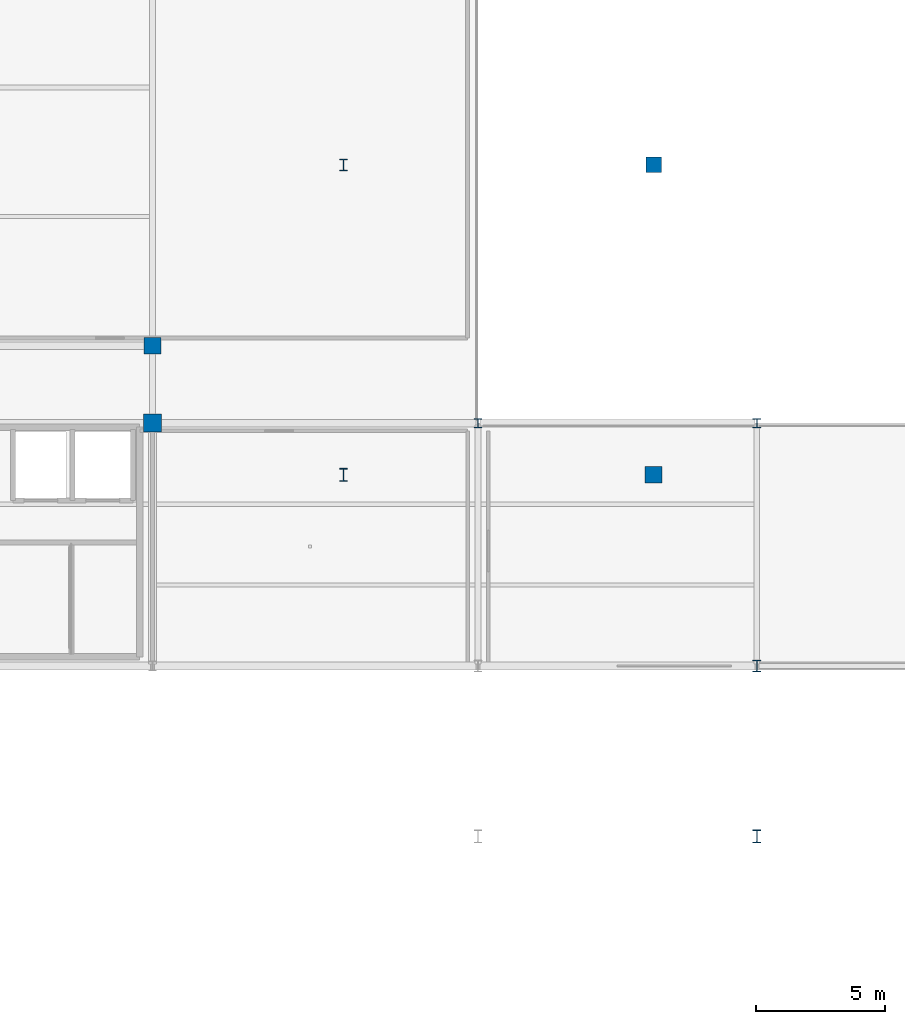
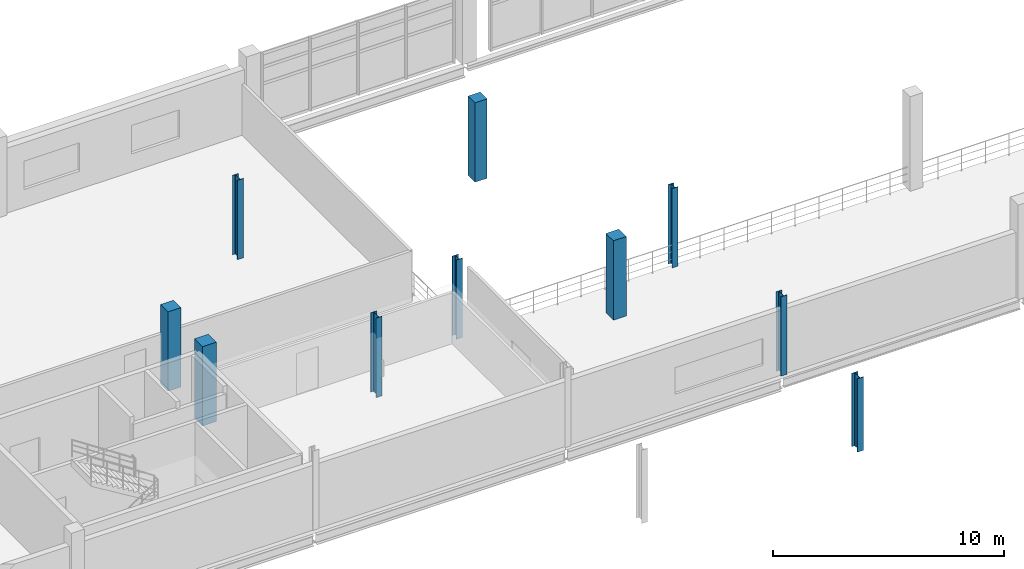
# One storey, part 15 of 89: 10 columns.
"""IFC4 building model written with IfcOpenShell, lengths in metres."""

from ifc_helpers import new_model, si_unit, direction, frame, origin, origin_2d, place, context, subcontext, project, spatial, rectangle, i_section, extrude, material, material_profile, profile_set, type_object, element, save


model = new_model("IFC4")

# Units and contexts
model_context = context("Model", 3, precision=1e-05, world=origin(), true_north=direction((0.0, 1.0)))
body_context = subcontext(model_context, "Body", "Model", "MODEL_VIEW")
ifc_project = project(units=[si_unit("LENGTHUNIT", "METRE"), si_unit("AREAUNIT", "SQUARE_METRE"), si_unit("VOLUMEUNIT", "CUBIC_METRE"), si_unit("PLANEANGLEUNIT", "RADIAN"), si_unit("MASSUNIT", "GRAM", prefix="KILO"), si_unit("THERMODYNAMICTEMPERATUREUNIT", "KELVIN"), si_unit("POWERUNIT", "WATT")], contexts=[model_context])

# Site, building, storey
site_placement = place(None, origin())
site = spatial("IfcSite", under=ifc_project, at=site_placement, CompositionType="ELEMENT")
building_placement = place(site_placement, origin())
building = spatial("IfcBuilding", under=site, at=building_placement, Name="Solmara Park Aquatics Centre", CompositionType="ELEMENT")
storey_placement = place(building_placement, frame((0.0, 0.0, 5.39990234375)))
storey = spatial("IfcBuildingStorey", under=building, at=storey_placement, Name="L01", CompositionType="ELEMENT", Elevation=5.39990234375)

# Columns
ifc_material_1 = material(Name="Structural Steel S355", Category="steel")
ifc_material_profile_1 = material_profile(ifc_material_1, i_section(OverallWidth=0.300048828125, OverallDepth=0.449951171875, WebThickness=0.013916015625, FlangeThickness=0.02587890625, FilletRadius=0.027099609375, at=origin_2d()), Name="HEB 450")
ifc_profile_set_1 = profile_set([ifc_material_profile_1], Name="Structural Steel S355")
column_type_1 = type_object("IfcColumnType", Name="STR-COL-HEB450", PredefinedType="COLUMN", material=ifc_profile_set_1)
for number, where, z_axis, x_axis, name in (
    (1, (104.0, 128.0, 0.0), (0.0, 0.0, 1.0), (1.0, 0.0, 0.0), "Column L01-0395"),
    (2, (120.0, 108.60009765625, 0.0), (0.0, 0.0, 1.0), (1.0, 0.0, 0.0), "Column L01-0413"),
):
    element("IfcColumn", number, at=place(storey_placement, frame(where, z_axis=z_axis, x_axis=x_axis)), inside=storey, type_object=column_type_1, Name=name, PredefinedType="COLUMN", context=body_context, shape_type="SweptSolid", body=[
        extrude(i_section(OverallWidth=0.300048828125, OverallDepth=0.449951171875, WebThickness=0.013916015625, FlangeThickness=0.02587890625, FilletRadius=0.027099609375, at=origin_2d()), origin(), (0.0, 0.0, 1.0), 4.2001953125),
    ])
ifc_material_profile_2 = material_profile(ifc_material_1, i_section(OverallWidth=0.300048828125, OverallDepth=0.5, WebThickness=0.014404296875, FlangeThickness=0.028076171875, FilletRadius=0.027099609375, at=origin_2d()), Name="HEB 500")
ifc_profile_set_2 = profile_set([ifc_material_profile_2], Name="Structural Steel S355")
column_type_2 = type_object("IfcColumnType", Name="STR-COL-HEB500", PredefinedType="COLUMN", material=ifc_profile_set_2)
column_1_placement = place(storey_placement, frame((104.0, 116.0, 0.0), z_axis=(0.0, 0.0, 1.0), x_axis=(1.0, 0.0, 0.0)))
element("IfcColumn", 3, at=column_1_placement, inside=storey, type_object=column_type_2, Name="Column L01-0394", PredefinedType="COLUMN", context=body_context, shape_type="SweptSolid", body=[
    extrude(i_section(OverallWidth=0.300048828125, OverallDepth=0.5, WebThickness=0.014404296875, FlangeThickness=0.028076171875, FilletRadius=0.027099609375, at=origin_2d()), origin(), (0.0, 0.0, 1.0), 4.2001953125),
])
column_2_placement = place(storey_placement, frame((120.0, 102.0, 0.0), z_axis=(0.0, 0.0, 1.0), x_axis=(1.0, 0.0, 0.0)))
element("IfcColumn", 4, at=column_2_placement, inside=storey, type_object=column_type_2, Name="Column L01-0412", PredefinedType="COLUMN", context=body_context, shape_type="SweptSolid", body=[
    extrude(i_section(OverallWidth=0.300048828125, OverallDepth=0.5, WebThickness=0.014404296875, FlangeThickness=0.028076171875, FilletRadius=0.027099609375, at=origin_2d()), origin(), (0.0, 0.0, 1.0), 3.880126953125),
])
ifc_material_2 = material(Name="Concrete C40/50", Category="concrete")
ifc_material_profile_3 = material_profile(ifc_material_2, rectangle(XDim=0.60009765625, YDim=0.60009765625, at=origin_2d()), Name="RC 600x600")
ifc_profile_set_3 = profile_set([ifc_material_profile_3], Name="Concrete C40/50")
column_type_3 = type_object("IfcColumnType", Name="STR-COL-RC600", PredefinedType="COLUMN", material=ifc_profile_set_3)
column_3_placement = place(storey_placement, frame((116.0, 128.0, 0.0), z_axis=(0.0, 0.0, 1.0), x_axis=(1.0, 0.0, 0.0)))
element("IfcColumn", 5, at=column_3_placement, inside=storey, type_object=column_type_3, Name="Column L01-0405", PredefinedType="COLUMN", context=body_context, shape_type="SweptSolid", body=[
    extrude(rectangle(XDim=0.60009765625, YDim=0.60009765625, at=origin_2d()), origin(), (0.0, 0.0, 1.0), 4.2001953125),
])
ifc_material_profile_4 = material_profile(ifc_material_2, rectangle(XDim=0.64990234375, YDim=0.64990234375, at=origin_2d()), Name="RC 650x650")
ifc_profile_set_4 = profile_set([ifc_material_profile_4], Name="Concrete C40/50")
column_type_4 = type_object("IfcColumnType", Name="STR-COL-RC650", PredefinedType="COLUMN", material=ifc_profile_set_4)
for number, where, z_axis, x_axis, name in (
    (6, (96.60009765625, 121.0, 0.0), (0.0, 0.0, 1.0), (1.0, 0.0, 0.0), "Column L01-0392"),
    (7, (116.0, 116.0, 0.0), (0.0, 0.0, 1.0), (1.0, 0.0, 0.0), "Column L01-0404"),
):
    element("IfcColumn", number, at=place(storey_placement, frame(where, z_axis=z_axis, x_axis=x_axis)), inside=storey, type_object=column_type_4, Name=name, PredefinedType="COLUMN", context=body_context, shape_type="SweptSolid", body=[
        extrude(rectangle(XDim=0.64990234375, YDim=0.64990234375, at=origin_2d()), origin(), (0.0, 0.0, 1.0), 4.2001953125),
    ])
ifc_material_profile_5 = material_profile(ifc_material_2, rectangle(XDim=0.699951171875, YDim=0.699951171875, at=origin_2d()), Name="RC 700x700")
ifc_profile_set_5 = profile_set([ifc_material_profile_5], Name="Concrete C40/50")
column_type_5 = type_object("IfcColumnType", Name="STR-COL-RC700", PredefinedType="COLUMN", material=ifc_profile_set_5)
column_4_placement = place(storey_placement, frame((96.60009765625, 118.0, 0.0), z_axis=(0.0, 0.0, 1.0), x_axis=(1.0, 0.0, 0.0)))
element("IfcColumn", 8, at=column_4_placement, inside=storey, type_object=column_type_5, Name="Column L01-0391", PredefinedType="COLUMN", context=body_context, shape_type="SweptSolid", body=[
    extrude(rectangle(XDim=0.699951171875, YDim=0.699951171875, at=origin_2d()), origin(), (0.0, 0.0, 1.0), 4.2001953125),
])
ifc_material_profile_6 = material_profile(ifc_material_1, i_section(OverallWidth=0.300048828125, OverallDepth=0.360107421875, WebThickness=0.012451171875, FlangeThickness=0.0224609375, FilletRadius=0.027099609375, at=origin_2d()), Name="HEB 360")
ifc_profile_set_6 = profile_set([ifc_material_profile_6], Name="Structural Steel S355")
column_type_6 = type_object("IfcColumnType", Name="STR-PIL-HEB360", PredefinedType="PILASTER", material=ifc_profile_set_6)
for number, where, z_axis, x_axis, name in (
    (9, (109.199951171875, 118.0, 0.0), (0.0, 0.0, 1.0), (1.0, 0.0, 0.0), "Column L01-0402"),
    (10, (120.0, 118.0, 0.0), (0.0, 0.0, 1.0), (1.0, 0.0, 0.0), "Column L01-0414"),
):
    element("IfcColumn", number, at=place(storey_placement, frame(where, z_axis=z_axis, x_axis=x_axis)), inside=storey, type_object=column_type_6, Name=name, PredefinedType="PILASTER", context=body_context, shape_type="SweptSolid", body=[
        extrude(i_section(OverallWidth=0.300048828125, OverallDepth=0.360107421875, WebThickness=0.012451171875, FlangeThickness=0.0224609375, FilletRadius=0.027099609375, at=origin_2d()), origin(), (0.0, 0.0, 1.0), 4.2001953125),
    ])

save(model, "model.ifc")
